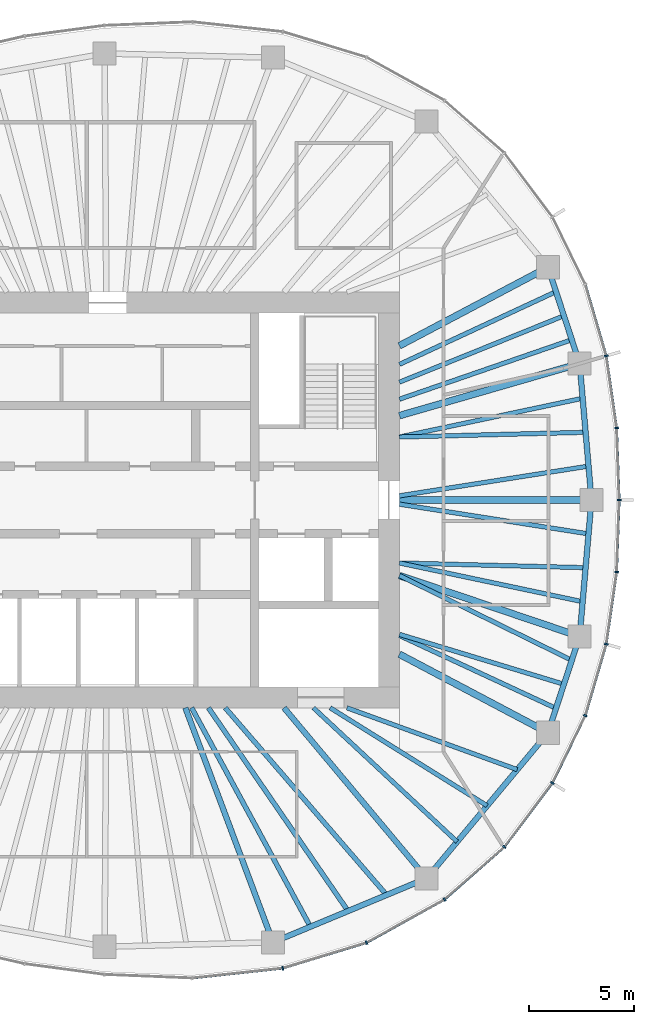
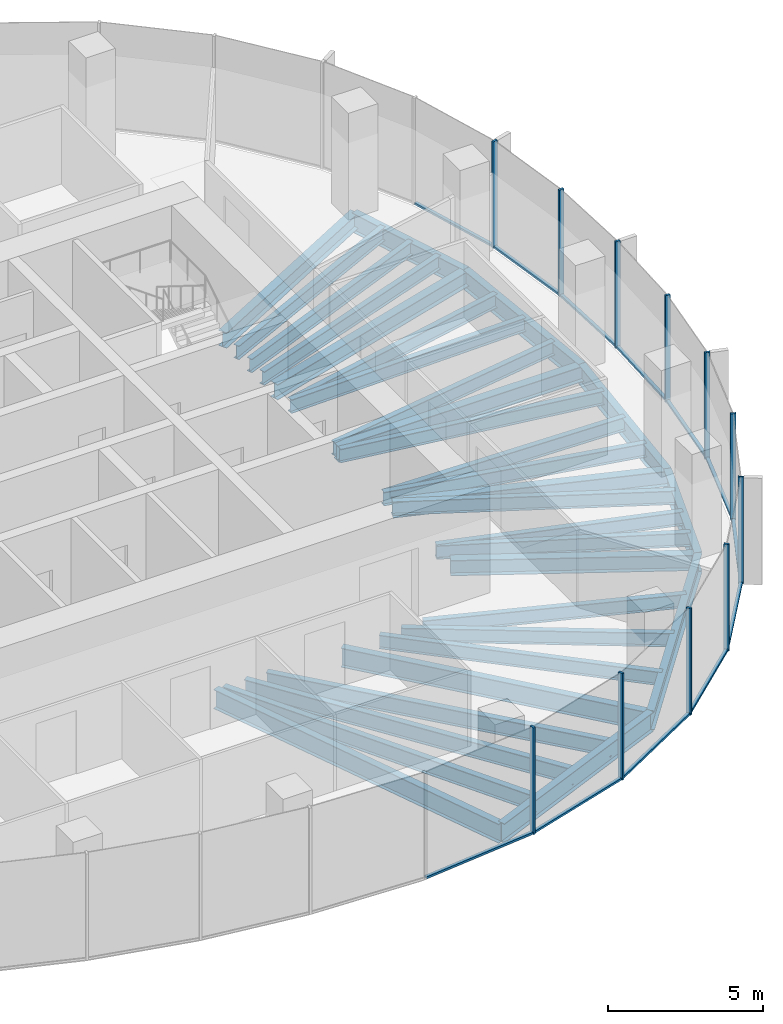
# One storey, part 4 of 11: 31 beams, 23 members, 7 elements without a shape of their own.
"""IFC4 building model written with IfcOpenShell, lengths in metres."""

from ifc_helpers import new_model, si_unit, direction, frame, origin, origin_2d, place, context, subcontext, project, spatial, rectangle, i_section, extrude, material, material_profile, profile_set, type_object, element, aggregate, save


model = new_model("IFC4")

# Units and contexts
model_context = context("Model", 3, precision=1e-05, world=origin(), true_north=direction((0.0, 1.0)))
body_context = subcontext(model_context, "Body", "Model", "MODEL_VIEW")
ifc_project = project(units=[si_unit("LENGTHUNIT", "METRE"), si_unit("AREAUNIT", "SQUARE_METRE"), si_unit("VOLUMEUNIT", "CUBIC_METRE"), si_unit("PLANEANGLEUNIT", "RADIAN"), si_unit("MASSUNIT", "GRAM", prefix="KILO")], contexts=[model_context])

# Site, building, storey
site_placement = place(None, origin())
site = spatial("IfcSite", under=ifc_project, at=site_placement, CompositionType="ELEMENT")
building_placement = place(site_placement, origin())
building = spatial("IfcBuilding", under=site, at=building_placement, Name="Ghaith Harvest Tower", CompositionType="ELEMENT")
storey_placement = place(building_placement, frame((0.0, 0.0, 288.0)))
storey = spatial("IfcBuildingStorey", under=building, at=storey_placement, Name="L64", CompositionType="ELEMENT", Elevation=288.0)

# Curtain wall, members
ifc_material_1 = material(Name="Black anodised aluminium and fritted glass", Category="aluminium")
curtain_wall_type = type_object("IfcCurtainWallType", Name="CW-T CURTAIN WALL", PredefinedType="NOTDEFINED", material=ifc_material_1)
curtain_wall_1_placement = place(storey_placement, origin())
curtain_wall_1 = element("IfcCurtainWall", 1, at=curtain_wall_1_placement, inside=storey, type_object=curtain_wall_type, Name="Curtain wall CW-T bay 01 L64", PredefinedType="NOTDEFINED")
ifc_material_2 = material(Name="Aluminium, black anodised", Category="aluminium")
ifc_material_profile_1 = material_profile(ifc_material_2, rectangle(XDim=0.080078125, YDim=0.179931640625, at=origin_2d()), Name="CW-T MULLION 80x180")
ifc_profile_set_1 = profile_set([ifc_material_profile_1], Name="Aluminium, black anodised")
member_type_1 = type_object("IfcMemberType", Name="CW-T MULLION 80x180", PredefinedType="MULLION", material=ifc_profile_set_1)
member_1_placement = place(storey_placement, frame((24.3701171875, 0.0, 0.0), z_axis=(0.0, 0.0, 1.0), x_axis=(5.2e-11, 1.0, 0.0)))
member_1 = element("IfcMember", 2, at=member_1_placement, type_object=member_type_1, Name="CW-T mullion 1 bay 01 L64", PredefinedType="MULLION", context=body_context, shape_type="SweptSolid", body=[
    extrude(rectangle(XDim=0.080078125, YDim=0.179931640625, at=origin_2d()), origin(), (0.0, 0.0, 1.0), 4.199951171875),
])
member_2_placement = place(storey_placement, frame((24.247802734375, 3.433837890625, 0.0), z_axis=(0.0, 0.0, 1.0), x_axis=(-0.089502202236, 0.995986624305, 0.0)))
member_2 = element("IfcMember", 3, at=member_2_placement, type_object=member_type_1, Name="CW-T mullion 2 bay 01 L64", PredefinedType="MULLION", context=body_context, shape_type="SweptSolid", body=[
    extrude(rectangle(XDim=0.080078125, YDim=0.179931640625, at=origin_2d()), origin(), (0.0, 0.0, 1.0), 4.199951171875),
])

# Curtain wall, member
curtain_wall_2_placement = place(storey_placement, origin())
curtain_wall_2 = element("IfcCurtainWall", 4, at=curtain_wall_2_placement, inside=storey, type_object=curtain_wall_type, Name="Curtain wall CW-T bay 02 L64", PredefinedType="NOTDEFINED")
member_3_placement = place(storey_placement, frame((23.753173828125, 6.865234375, 0.0), z_axis=(0.0, 0.0, 1.0), x_axis=(-0.21340203233, 0.976964468442, 0.0)))
member_3 = element("IfcMember", 5, at=member_3_placement, type_object=member_type_1, Name="CW-T mullion 1 bay 02 L64", PredefinedType="MULLION", context=body_context, shape_type="SweptSolid", body=[
    extrude(rectangle(XDim=0.080078125, YDim=0.179931640625, at=origin_2d()), origin(), (0.0, 0.0, 1.0), 4.199951171875),
])

# Curtain wall, members
curtain_wall_3_placement = place(storey_placement, origin())
curtain_wall_3 = element("IfcCurtainWall", 6, at=curtain_wall_3_placement, inside=storey, type_object=curtain_wall_type, Name="Curtain wall CW-T bay 17 L64", PredefinedType="NOTDEFINED")
member_4_placement = place(storey_placement, frame((8.33984375, -22.308837890625, 0.0), z_axis=(0.0, 0.0, 1.0), x_axis=(0.980000193265, 0.198996535647, 0.0)))
member_4 = element("IfcMember", 7, at=member_4_placement, type_object=member_type_1, Name="CW-T mullion 1 bay 17 L64", PredefinedType="MULLION", context=body_context, shape_type="SweptSolid", body=[
    extrude(rectangle(XDim=0.080078125, YDim=0.179931640625, at=origin_2d()), origin(), (0.0, 0.0, 1.0), 4.199951171875),
])
member_5_placement = place(storey_placement, frame((12.334228515625, -21.091796875, 0.0), z_axis=(0.0, 0.0, 1.0), x_axis=(0.920319269335, 0.391168048914, 0.0)))
member_5 = element("IfcMember", 8, at=member_5_placement, type_object=member_type_1, Name="CW-T mullion 2 bay 17 L64", PredefinedType="MULLION", context=body_context, shape_type="SweptSolid", body=[
    extrude(rectangle(XDim=0.080078125, YDim=0.179931640625, at=origin_2d()), origin(), (0.0, 0.0, 1.0), 4.199951171875),
])

curtain_wall_4_placement = place(storey_placement, origin())
curtain_wall_4 = element("IfcCurtainWall", 9, at=curtain_wall_4_placement, inside=storey, type_object=curtain_wall_type, Name="Curtain wall CW-T bay 18 L64", PredefinedType="NOTDEFINED")
member_6_placement = place(storey_placement, frame((16.04931640625, -19.031982421875, 0.0), z_axis=(0.0, 0.0, 1.0), x_axis=(0.821112053644, 0.570767023715, 0.0)))
member_6 = element("IfcMember", 10, at=member_6_placement, type_object=member_type_1, Name="CW-T mullion 1 bay 18 L64", PredefinedType="MULLION", context=body_context, shape_type="SweptSolid", body=[
    extrude(rectangle(XDim=0.080078125, YDim=0.179931640625, at=origin_2d()), origin(), (0.0, 0.0, 1.0), 4.199951171875),
])
member_7_placement = place(storey_placement, frame((18.901123046875, -16.527099609375, 0.0), z_axis=(0.0, 0.0, 1.0), x_axis=(0.679660897254, 0.733526458108, 0.0)))
member_7 = element("IfcMember", 11, at=member_7_placement, type_object=member_type_1, Name="CW-T mullion 2 bay 18 L64", PredefinedType="MULLION", context=body_context, shape_type="SweptSolid", body=[
    extrude(rectangle(XDim=0.080078125, YDim=0.179931640625, at=origin_2d()), origin(), (0.0, 0.0, 1.0), 4.199951171875),
])

curtain_wall_5_placement = place(storey_placement, origin())
curtain_wall_5 = element("IfcCurtainWall", 12, at=curtain_wall_5_placement, inside=storey, type_object=curtain_wall_type, Name="Curtain wall CW-T bay 19 L64", PredefinedType="NOTDEFINED")
member_8_placement = place(storey_placement, frame((21.18896484375, -13.48486328125, 0.0), z_axis=(0.0, 0.0, 1.0), x_axis=(0.524482238715, 0.85142138878, 0.0)))
member_8 = element("IfcMember", 13, at=member_8_placement, type_object=member_type_1, Name="CW-T mullion 1 bay 19 L64", PredefinedType="MULLION", context=body_context, shape_type="SweptSolid", body=[
    extrude(rectangle(XDim=0.080078125, YDim=0.179931640625, at=origin_2d()), origin(), (0.0, 0.0, 1.0), 4.199951171875),
])
member_9_placement = place(storey_placement, frame((22.754150390625, -10.272216796875, 0.0), z_axis=(0.0, 0.0, 1.0), x_axis=(0.361184273904, 0.932494461262, 0.0)))
member_9 = element("IfcMember", 14, at=member_9_placement, type_object=member_type_1, Name="CW-T mullion 2 bay 19 L64", PredefinedType="MULLION", context=body_context, shape_type="SweptSolid", body=[
    extrude(rectangle(XDim=0.080078125, YDim=0.179931640625, at=origin_2d()), origin(), (0.0, 0.0, 1.0), 4.199951171875),
])

curtain_wall_6_placement = place(storey_placement, origin())
curtain_wall_6 = element("IfcCurtainWall", 15, at=curtain_wall_6_placement, inside=storey, type_object=curtain_wall_type, Name="Curtain wall CW-T bay 20 L64", PredefinedType="NOTDEFINED")
member_10_placement = place(storey_placement, frame((23.753173828125, -6.865234375, 0.0), z_axis=(0.0, 0.0, 1.0), x_axis=(0.213402032501, 0.976964468404, 0.0)))
member_10 = element("IfcMember", 16, at=member_10_placement, type_object=member_type_1, Name="CW-T mullion 1 bay 20 L64", PredefinedType="MULLION", context=body_context, shape_type="SweptSolid", body=[
    extrude(rectangle(XDim=0.080078125, YDim=0.179931640625, at=origin_2d()), origin(), (0.0, 0.0, 1.0), 4.199951171875),
])
member_11_placement = place(storey_placement, frame((24.247802734375, -3.433837890625, 0.0), z_axis=(0.0, 0.0, 1.0), x_axis=(0.089502202305, 0.995986624299, 0.0)))
member_11 = element("IfcMember", 17, at=member_11_placement, type_object=member_type_1, Name="CW-T mullion 2 bay 20 L64", PredefinedType="MULLION", context=body_context, shape_type="SweptSolid", body=[
    extrude(rectangle(XDim=0.080078125, YDim=0.179931640625, at=origin_2d()), origin(), (0.0, 0.0, 1.0), 4.199951171875),
])

# Member
ifc_material_3 = material(Name="Aluminium, black anodised", Category="aluminium")
ifc_material_profile_2 = material_profile(ifc_material_3, rectangle(XDim=0.1201171875, YDim=0.080078125, at=origin_2d()), Name="CW-T TRANSOM 120x80")
ifc_profile_set_2 = profile_set([ifc_material_profile_2], Name="Aluminium, black anodised")
member_type_2 = type_object("IfcMemberType", Name="CW-T TRANSOM 120x80", PredefinedType="USERDEFINED", material=ifc_profile_set_2)
member_12_placement = place(storey_placement, frame((24.36865234375, 0.0400390625, 0.0400390625), z_axis=(-0.035574759537, 0.999367017909, 0.0), x_axis=(-0.999367017909, -0.035574759537, 0.0)))
member_12 = element("IfcMember", 18, at=member_12_placement, type_object=member_type_2, Name="CW-T transom 1 bay 01 L64", ObjectType="TRANSOM", PredefinedType="USERDEFINED", context=body_context, shape_type="SweptSolid", body=[
    extrude(rectangle(XDim=0.1201171875, YDim=0.080078125, at=origin_2d()), origin(), (0.0, 0.0, 1.0), 3.35595703125),
])

member_13_placement = place(storey_placement, frame((24.2421875, 3.473388671875, 0.0400390625), z_axis=(-0.142733224301, 0.989761196795, 0.0), x_axis=(-0.989761196795, -0.142733224301, 0.0)))
member_13 = element("IfcMember", 19, at=member_13_placement, type_object=member_type_2, Name="CW-T transom 2 bay 01 L64", ObjectType="TRANSOM", PredefinedType="USERDEFINED", context=body_context, shape_type="SweptSolid", body=[
    extrude(rectangle(XDim=0.1201171875, YDim=0.080078125, at=origin_2d()), origin(), (0.0, 0.0, 1.0), 3.38671875),
])

aggregate(curtain_wall_1, [member_1, member_12, member_2, member_13])

member_14_placement = place(storey_placement, frame((23.741943359375, 6.903564453125, 0.0400390625), z_axis=(-0.281385475469, 0.95959481772, 0.0), x_axis=(-0.95959481772, -0.281385475469, 0.0)))
member_14 = element("IfcMember", 20, at=member_14_placement, type_object=member_type_2, Name="CW-T transom 1 bay 02 L64", ObjectType="TRANSOM", PredefinedType="USERDEFINED", context=body_context, shape_type="SweptSolid", body=[
    extrude(rectangle(XDim=0.1201171875, YDim=0.080078125, at=origin_2d()), origin(), (0.0, 0.0, 1.0), 3.470458984375),
])

aggregate(curtain_wall_2, [member_3, member_14])

# Curtain wall, member
curtain_wall_7_placement = place(storey_placement, origin())
curtain_wall_7 = element("IfcCurtainWall", 21, at=curtain_wall_7_placement, inside=storey, type_object=curtain_wall_type, Name="Curtain wall CW-T bay 16 L64", PredefinedType="NOTDEFINED")
member_15_placement = place(storey_placement, frame((4.077392578125, -22.772216796875, 0.0400390625), z_axis=(0.994144463069, 0.108059180768, 0.0), x_axis=(-0.108059180768, 0.994144463069, 0.0)))
member_15 = element("IfcMember", 22, at=member_15_placement, type_object=member_type_2, Name="CW-T transom 2 bay 16 L64", ObjectType="TRANSOM", PredefinedType="USERDEFINED", context=body_context, shape_type="SweptSolid", body=[
    extrude(rectangle(XDim=0.1201171875, YDim=0.080078125, at=origin_2d()), origin(), (0.0, 0.0, 1.0), 4.24755859375),
])
aggregate(curtain_wall_7, [member_15])

# Member
member_16_placement = place(storey_placement, frame((8.378173828125, -22.297119140625, 0.0400390625), z_axis=(0.956593713342, 0.291424891858, 0.0), x_axis=(-0.291424891858, 0.956593713342, 0.0)))
member_16 = element("IfcMember", 23, at=member_16_placement, type_object=member_type_2, Name="CW-T transom 1 bay 17 L64", ObjectType="TRANSOM", PredefinedType="USERDEFINED", context=body_context, shape_type="SweptSolid", body=[
    extrude(rectangle(XDim=0.1201171875, YDim=0.080078125, at=origin_2d()), origin(), (0.0, 0.0, 1.0), 4.095703125),
])

member_17_placement = place(storey_placement, frame((12.369384765625, -21.072509765625, 0.0400390625), z_axis=(0.874552130553, 0.484931511603, 0.0), x_axis=(-0.484931511603, 0.874552130553, 0.0)))
member_17 = element("IfcMember", 24, at=member_17_placement, type_object=member_type_2, Name="CW-T transom 2 bay 17 L64", ObjectType="TRANSOM", PredefinedType="USERDEFINED", context=body_context, shape_type="SweptSolid", body=[
    extrude(rectangle(XDim=0.1201171875, YDim=0.080078125, at=origin_2d()), origin(), (0.0, 0.0, 1.0), 4.16748046875),
])

aggregate(curtain_wall_3, [member_4, member_16, member_5, member_17])

member_18_placement = place(storey_placement, frame((16.079345703125, -19.005615234375, 0.0400390625), z_axis=(0.751325799984, 0.659931467865, 0.0), x_axis=(-0.659931467865, 0.751325799984, 0.0)))
member_18 = element("IfcMember", 25, at=member_18_placement, type_object=member_type_2, Name="CW-T transom 1 bay 18 L64", ObjectType="TRANSOM", PredefinedType="USERDEFINED", context=body_context, shape_type="SweptSolid", body=[
    extrude(rectangle(XDim=0.1201171875, YDim=0.080078125, at=origin_2d()), origin(), (0.0, 0.0, 1.0), 3.7158203125),
])

member_19_placement = place(storey_placement, frame((18.925048828125, -16.4951171875, 0.0400390625), z_axis=(0.601079103045, 0.799189534392, 0.0), x_axis=(-0.799189534392, 0.601079103045, 0.0)))
member_19 = element("IfcMember", 26, at=member_19_placement, type_object=member_type_2, Name="CW-T transom 2 bay 18 L64", ObjectType="TRANSOM", PredefinedType="USERDEFINED", context=body_context, shape_type="SweptSolid", body=[
    extrude(rectangle(XDim=0.1201171875, YDim=0.080078125, at=origin_2d()), origin(), (0.0, 0.0, 1.0), 3.7265625),
])

aggregate(curtain_wall_4, [member_6, member_18, member_7, member_19])

member_20_placement = place(storey_placement, frame((21.20654296875, -13.448974609375, 0.0400390625), z_axis=(0.437965078712, 0.898991985408, 0.0), x_axis=(-0.898991985408, 0.437965078712, 0.0)))
member_20 = element("IfcMember", 27, at=member_20_placement, type_object=member_type_2, Name="CW-T transom 1 bay 19 L64", ObjectType="TRANSOM", PredefinedType="USERDEFINED", context=body_context, shape_type="SweptSolid", body=[
    extrude(rectangle(XDim=0.1201171875, YDim=0.080078125, at=origin_2d()), origin(), (0.0, 0.0, 1.0), 3.493408203125),
])

member_21_placement = place(storey_placement, frame((22.765380859375, -10.23388671875, 0.0400390625), z_axis=(0.281385475469, 0.95959481772, 0.0), x_axis=(-0.95959481772, 0.281385475469, 0.0)))
member_21 = element("IfcMember", 28, at=member_21_placement, type_object=member_type_2, Name="CW-T transom 2 bay 19 L64", ObjectType="TRANSOM", PredefinedType="USERDEFINED", context=body_context, shape_type="SweptSolid", body=[
    extrude(rectangle(XDim=0.1201171875, YDim=0.080078125, at=origin_2d()), origin(), (0.0, 0.0, 1.0), 3.470458984375),
])

aggregate(curtain_wall_5, [member_8, member_20, member_9, member_21])

member_22_placement = place(storey_placement, frame((23.7587890625, -6.825439453125, 0.0400390625), z_axis=(0.142733224301, 0.989761196795, 0.0), x_axis=(-0.989761196795, 0.142733224301, 0.0)))
member_22 = element("IfcMember", 29, at=member_22_placement, type_object=member_type_2, Name="CW-T transom 1 bay 20 L64", ObjectType="TRANSOM", PredefinedType="USERDEFINED", context=body_context, shape_type="SweptSolid", body=[
    extrude(rectangle(XDim=0.1201171875, YDim=0.080078125, at=origin_2d()), origin(), (0.0, 0.0, 1.0), 3.38671875),
])

member_23_placement = place(storey_placement, frame((24.249267578125, -3.393798828125, 0.0400390625), z_axis=(0.035574759537, 0.999367017909, 0.0), x_axis=(-0.999367017909, 0.035574759537, 0.0)))
member_23 = element("IfcMember", 30, at=member_23_placement, type_object=member_type_2, Name="CW-T transom 2 bay 20 L64", ObjectType="TRANSOM", PredefinedType="USERDEFINED", context=body_context, shape_type="SweptSolid", body=[
    extrude(rectangle(XDim=0.1201171875, YDim=0.080078125, at=origin_2d()), origin(), (0.0, 0.0, 1.0), 3.35595703125),
])

aggregate(curtain_wall_6, [member_10, member_22, member_11, member_23])

# Beams
ifc_material_4 = material(Name="Steel ASTM A992 Grade 50", Category="steel")
ifc_material_profile_3 = material_profile(ifc_material_4, i_section(OverallWidth=0.26611328125, OverallDepth=0.758056640625, WebThickness=0.013916015625, FlangeThickness=0.019287109375, at=origin_2d()), Name="W760X161")
ifc_profile_set_3 = profile_set([ifc_material_profile_3], Name="Steel ASTM A992 Grade 50")
beam_type_1 = type_object("IfcBeamType", Name="E760-161 W760X161", PredefinedType="SPANDREL", material=ifc_profile_set_3)
beam_1_placement = place(storey_placement, frame((23.050048828125, 0.0, -0.549072265625), z_axis=(-0.086600547306, 0.996243115513, 0.0), x_axis=(-0.996243115513, -0.086600547306, 0.0)))
element("IfcBeam", 31, at=beam_1_placement, inside=storey, type_object=beam_type_1, Name="Edge beam E01 L64", PredefinedType="SPANDREL", context=body_context, shape_type="SweptSolid", body=[
    extrude(i_section(OverallWidth=0.26611328125, OverallDepth=0.758056640625, WebThickness=0.013916015625, FlangeThickness=0.019287109375, at=origin_2d()), origin(), (0.0, 0.0, 1.0), 6.5234375),
])
beam_2_placement = place(storey_placement, frame((22.485107421875, 6.4990234375, -0.549072265625), z_axis=(-0.312206727278, 0.950014189074, 0.0), x_axis=(-0.950014189074, -0.312206727278, 0.0)))
element("IfcBeam", 32, at=beam_2_placement, inside=storey, type_object=beam_type_1, Name="Edge beam E02 L64", PredefinedType="SPANDREL", context=body_context, shape_type="SweptSolid", body=[
    extrude(i_section(OverallWidth=0.26611328125, OverallDepth=0.758056640625, WebThickness=0.013916015625, FlangeThickness=0.019287109375, at=origin_2d()), origin(), (0.0, 0.0, 1.0), 4.830322265625),
])
beam_3_placement = place(storey_placement, frame((7.8779296875, -21.072021484375, -0.549072265625), z_axis=(0.923119729219, 0.384512633766, 0.0), x_axis=(-0.384512633766, 0.923119729219, 0.0)))
element("IfcBeam", 33, at=beam_3_placement, inside=storey, type_object=beam_type_1, Name="Edge beam E17 L64", PredefinedType="SPANDREL", context=body_context, shape_type="SweptSolid", body=[
    extrude(i_section(OverallWidth=0.26611328125, OverallDepth=0.758056640625, WebThickness=0.013916015625, FlangeThickness=0.019287109375, at=origin_2d()), origin(), (0.0, 0.0, 1.0), 7.9296875),
])
beam_4_placement = place(storey_placement, frame((15.197998046875, -18.02294921875, -0.549072265625), z_axis=(0.640173759088, 0.76823014662, 0.0), x_axis=(-0.76823014662, 0.640173759088, 0.0)))
element("IfcBeam", 34, at=beam_4_placement, inside=storey, type_object=beam_type_1, Name="Edge beam E18 L64", PredefinedType="SPANDREL", context=body_context, shape_type="SweptSolid", body=[
    extrude(i_section(OverallWidth=0.26611328125, OverallDepth=0.758056640625, WebThickness=0.013916015625, FlangeThickness=0.019287109375, at=origin_2d()), origin(), (0.0, 0.0, 1.0), 9.02734375),
])
beam_5_placement = place(storey_placement, frame((20.97705078125, -11.087890625, -0.549072265625), z_axis=(0.312206727278, 0.950014189074, 0.0), x_axis=(-0.950014189074, 0.312206727278, 0.0)))
element("IfcBeam", 35, at=beam_5_placement, inside=storey, type_object=beam_type_1, Name="Edge beam E19 L64", PredefinedType="SPANDREL", context=body_context, shape_type="SweptSolid", body=[
    extrude(i_section(OverallWidth=0.26611328125, OverallDepth=0.758056640625, WebThickness=0.013916015625, FlangeThickness=0.019287109375, at=origin_2d()), origin(), (0.0, 0.0, 1.0), 4.830322265625),
])
beam_6_placement = place(storey_placement, frame((22.485107421875, -6.4990234375, -0.549072265625), z_axis=(0.086600547306, 0.996243115513, 0.0), x_axis=(-0.996243115513, 0.086600547306, 0.0)))
element("IfcBeam", 36, at=beam_6_placement, inside=storey, type_object=beam_type_1, Name="Edge beam E20 L64", PredefinedType="SPANDREL", context=body_context, shape_type="SweptSolid", body=[
    extrude(i_section(OverallWidth=0.26611328125, OverallDepth=0.758056640625, WebThickness=0.013916015625, FlangeThickness=0.019287109375, at=origin_2d()), origin(), (0.0, 0.0, 1.0), 6.5234375),
])
ifc_material_5 = material(Name="Steel ASTM A992 Grade 50", Category="steel")
ifc_material_profile_4 = material_profile(ifc_material_5, i_section(OverallWidth=0.323974609375, OverallDepth=0.611083984375, WebThickness=0.0126953125, FlangeThickness=0.01904296875, at=origin_2d()), Name="W610X155")
ifc_profile_set_4 = profile_set([ifc_material_profile_4], Name="Steel ASTM A992 Grade 50")
beam_type_2 = type_object("IfcBeamType", Name="G610-155 W610X155", PredefinedType="BEAM", material=ifc_profile_set_4)
beam_7_placement = place(storey_placement, frame((13.89990234375, 0.0, -0.4755859375), z_axis=(1.0, 0.0, 0.0), x_axis=(0.0, 1.0, 0.0)))
element("IfcBeam", 37, at=beam_7_placement, inside=storey, type_object=beam_type_2, Name="Radial girder G01 L64", PredefinedType="BEAM", context=body_context, shape_type="SweptSolid", body=[
    extrude(i_section(OverallWidth=0.323974609375, OverallDepth=0.611083984375, WebThickness=0.0126953125, FlangeThickness=0.01904296875, at=origin_2d()), origin(), (0.0, 0.0, 1.0), 9.150146484375),
])
beam_8_placement = place(storey_placement, frame((13.89990234375, 4.017333984375, -0.4755859375), z_axis=(0.960668846071, 0.27769653975, 0.0), x_axis=(-0.27769653975, 0.960668846071, 0.0)))
element("IfcBeam", 38, at=beam_8_placement, inside=storey, type_object=beam_type_2, Name="Radial girder G02 L64", PredefinedType="BEAM", context=body_context, shape_type="SweptSolid", body=[
    extrude(i_section(OverallWidth=0.323974609375, OverallDepth=0.611083984375, WebThickness=0.0126953125, FlangeThickness=0.01904296875, at=origin_2d()), origin(), (0.0, 0.0, 1.0), 8.936767578125),
])
for number, where, z_axis, x_axis, name in (
    (39, (13.89990234375, 7.34716796875, -0.4755859375), (0.884097820364, 0.467301876764, 0.0), (-0.467301876764, 0.884097820364, 0.0), "Radial girder G03 L64"),
    (40, (13.89990234375, -7.34716796875, -0.4755859375), (0.884097820364, -0.467301876764, 0.0), (0.467301876764, 0.884097820364, 0.0), "Radial girder G19 L64"),
):
    element("IfcBeam", number, at=place(storey_placement, frame(where, z_axis=z_axis, x_axis=x_axis)), inside=storey, type_object=beam_type_2, Name=name, PredefinedType="BEAM", context=body_context, shape_type="SweptSolid", body=[
        extrude(i_section(OverallWidth=0.323974609375, OverallDepth=0.611083984375, WebThickness=0.0126953125, FlangeThickness=0.01904296875, at=origin_2d()), origin(), (0.0, 0.0, 1.0), 8.0048828125),
    ])
beam_9_placement = place(storey_placement, frame((13.89990234375, -3.60009765625, -0.4755859375), z_axis=(0.947444819082, -0.319919231673, 0.0), x_axis=(0.319919231673, 0.947444819082, 0.0)))
element("IfcBeam", 41, at=beam_9_placement, inside=storey, type_object=beam_type_2, Name="Radial girder G20 L64", PredefinedType="BEAM", context=body_context, shape_type="SweptSolid", body=[
    extrude(i_section(OverallWidth=0.323974609375, OverallDepth=0.611083984375, WebThickness=0.0126953125, FlangeThickness=0.01904296875, at=origin_2d()), origin(), (0.0, 0.0, 1.0), 9.0615234375),
])
ifc_material_6 = material(Name="Steel ASTM A992 Grade 50", Category="steel")
ifc_material_profile_5 = material_profile(ifc_material_6, i_section(OverallWidth=0.26611328125, OverallDepth=0.758056640625, WebThickness=0.013916015625, FlangeThickness=0.019287109375, at=origin_2d()), Name="W760X161")
ifc_profile_set_5 = profile_set([ifc_material_profile_5], Name="Steel ASTM A992 Grade 50")
beam_type_3 = type_object("IfcBeamType", Name="G760-161 W760X161", PredefinedType="BEAM", material=ifc_profile_set_5)
beam_10_placement = place(storey_placement, frame((3.700927734375, -9.89990234375, -0.549072265625), z_axis=(0.350201332531, -0.936674450753, 0.0), x_axis=(0.936674450753, 0.350201332531, 0.0)))
element("IfcBeam", 42, at=beam_10_placement, inside=storey, type_object=beam_type_3, Name="Radial girder G17 L64", PredefinedType="BEAM", context=body_context, shape_type="SweptSolid", body=[
    extrude(i_section(OverallWidth=0.26611328125, OverallDepth=0.758056640625, WebThickness=0.013916015625, FlangeThickness=0.019287109375, at=origin_2d()), origin(), (0.0, 0.0, 1.0), 11.927490234375),
])
beam_11_placement = place(storey_placement, frame((8.39990234375, -9.89990234375, -0.549072265625), z_axis=(0.641792628883, -0.766878231215, 0.0), x_axis=(0.766878231215, 0.641792628883, 0.0)))
element("IfcBeam", 43, at=beam_11_placement, inside=storey, type_object=beam_type_3, Name="Radial girder G18 L64", PredefinedType="BEAM", context=body_context, shape_type="SweptSolid", body=[
    extrude(i_section(OverallWidth=0.26611328125, OverallDepth=0.758056640625, WebThickness=0.013916015625, FlangeThickness=0.019287109375, at=origin_2d()), origin(), (0.0, 0.0, 1.0), 10.59228515625),
])
ifc_material_7 = material(Name="Steel ASTM A992 Grade 50", Category="steel")
ifc_material_profile_6 = material_profile(ifc_material_7, i_section(OverallWidth=0.2109375, OverallDepth=0.5390625, WebThickness=0.01171875, FlangeThickness=0.018798828125, at=origin_2d()), Name="W530X109")
ifc_profile_set_6 = profile_set([ifc_material_profile_6], Name="Steel ASTM A992 Grade 50")
beam_type_4 = type_object("IfcBeamType", Name="J530-109 W530X109", PredefinedType="JOIST", material=ifc_profile_set_6)
beam_12_placement = place(storey_placement, frame((13.89990234375, 0.199951171875, -0.439453125), z_axis=(0.987906665526, 0.155049734628, 0.0), x_axis=(-0.155049734628, 0.987906665526, 0.0)))
element("IfcBeam", 44, at=beam_12_placement, inside=storey, type_object=beam_type_4, Name="Joist J01.1 L64", PredefinedType="JOIST", context=body_context, shape_type="SweptSolid", body=[
    extrude(i_section(OverallWidth=0.2109375, OverallDepth=0.5390625, WebThickness=0.01171875, FlangeThickness=0.018798828125, at=origin_2d()), origin(), (0.0, 0.0, 1.0), 9.1201171875),
])
beam_13_placement = place(storey_placement, frame((13.89990234375, 3.0, -0.439453125), z_axis=(0.999679533859, 0.025314612071, 0.0), x_axis=(-0.025314612071, 0.999679533859, 0.0)))
element("IfcBeam", 45, at=beam_13_placement, inside=storey, type_object=beam_type_4, Name="Joist J01.2 L64", PredefinedType="JOIST", context=body_context, shape_type="SweptSolid", body=[
    extrude(i_section(OverallWidth=0.2109375, OverallDepth=0.5390625, WebThickness=0.01171875, FlangeThickness=0.018798828125, at=origin_2d()), origin(), (0.0, 0.0, 1.0), 8.872802734375),
])
beam_14_placement = place(storey_placement, frame((13.89990234375, 3.0, -0.439453125), z_axis=(0.97833382446, 0.207033639579, 0.0), x_axis=(-0.207033639579, 0.97833382446, 0.0)))
element("IfcBeam", 46, at=beam_14_placement, inside=storey, type_object=beam_type_4, Name="Joist J01.3 L64", PredefinedType="JOIST", context=body_context, shape_type="SweptSolid", body=[
    extrude(i_section(OverallWidth=0.2109375, OverallDepth=0.5390625, WebThickness=0.01171875, FlangeThickness=0.018798828125, at=origin_2d()), origin(), (0.0, 0.0, 1.0), 8.922119140625),
])
beam_15_placement = place(storey_placement, frame((13.89990234375, 4.801025390625, -0.439453125), z_axis=(0.945204712775, 0.326478254937, 0.0), x_axis=(-0.326478254937, 0.945204712775, 0.0)))
element("IfcBeam", 47, at=beam_15_placement, inside=storey, type_object=beam_type_4, Name="Joist J02.1 L64", PredefinedType="JOIST", context=body_context, shape_type="SweptSolid", body=[
    extrude(i_section(OverallWidth=0.2109375, OverallDepth=0.5390625, WebThickness=0.01171875, FlangeThickness=0.018798828125, at=origin_2d()), origin(), (0.0, 0.0, 1.0), 8.687255859375),
])
beam_16_placement = place(storey_placement, frame((13.89990234375, 5.61328125, -0.439453125), z_axis=(0.927254375113, 0.374432001615, 0.0), x_axis=(-0.374432001615, 0.927254375113, 0.0)))
element("IfcBeam", 48, at=beam_16_placement, inside=storey, type_object=beam_type_4, Name="Joist J02.2 L64", PredefinedType="JOIST", context=body_context, shape_type="SweptSolid", body=[
    extrude(i_section(OverallWidth=0.2109375, OverallDepth=0.5390625, WebThickness=0.01171875, FlangeThickness=0.018798828125, at=origin_2d()), origin(), (0.0, 0.0, 1.0), 8.450927734375),
])
beam_17_placement = place(storey_placement, frame((13.89990234375, 6.45947265625, -0.439453125), z_axis=(0.906859906661, 0.42143221245, 0.0), x_axis=(-0.42143221245, 0.906859906661, 0.0)))
element("IfcBeam", 49, at=beam_17_placement, inside=storey, type_object=beam_type_4, Name="Joist J02.3 L64", PredefinedType="JOIST", context=body_context, shape_type="SweptSolid", body=[
    extrude(i_section(OverallWidth=0.2109375, OverallDepth=0.5390625, WebThickness=0.01171875, FlangeThickness=0.018798828125, at=origin_2d()), origin(), (0.0, 0.0, 1.0), 8.22509765625),
])
beam_18_placement = place(storey_placement, frame((9.800048828125, -9.89990234375, -0.439453125), z_axis=(0.73164904944, -0.681681500742, 0.0), x_axis=(0.681681500742, 0.73164904944, 0.0)))
element("IfcBeam", 50, at=beam_18_placement, inside=storey, type_object=beam_type_4, Name="Joist J18.1 L64", PredefinedType="JOIST", context=body_context, shape_type="SweptSolid", body=[
    extrude(i_section(OverallWidth=0.2109375, OverallDepth=0.5390625, WebThickness=0.01171875, FlangeThickness=0.018798828125, at=origin_2d()), origin(), (0.0, 0.0, 1.0), 9.361572265625),
])
beam_19_placement = place(storey_placement, frame((10.60009765625, -9.89990234375, -0.439453125), z_axis=(0.84837619421, -0.52939383553, 0.0), x_axis=(0.52939383553, 0.84837619421, 0.0)))
element("IfcBeam", 51, at=beam_19_placement, inside=storey, type_object=beam_type_4, Name="Joist J18.2 L64", PredefinedType="JOIST", context=body_context, shape_type="SweptSolid", body=[
    extrude(i_section(OverallWidth=0.2109375, OverallDepth=0.5390625, WebThickness=0.01171875, FlangeThickness=0.018798828125, at=origin_2d()), origin(), (0.0, 0.0, 1.0), 8.814697265625),
])
beam_20_placement = place(storey_placement, frame((11.39990234375, -9.89990234375, -0.439453125), z_axis=(0.939925501564, -0.341379629605, 0.0), x_axis=(0.341379629605, 0.939925501564, 0.0)))
element("IfcBeam", 52, at=beam_20_placement, inside=storey, type_object=beam_type_4, Name="Joist J18.3 L64", PredefinedType="JOIST", context=body_context, shape_type="SweptSolid", body=[
    extrude(i_section(OverallWidth=0.2109375, OverallDepth=0.5390625, WebThickness=0.01171875, FlangeThickness=0.018798828125, at=origin_2d()), origin(), (0.0, 0.0, 1.0), 8.630615234375),
])
beam_21_placement = place(storey_placement, frame((13.89990234375, -6.45947265625, -0.439453125), z_axis=(0.906859906661, -0.42143221245, 0.0), x_axis=(0.42143221245, 0.906859906661, 0.0)))
element("IfcBeam", 53, at=beam_21_placement, inside=storey, type_object=beam_type_4, Name="Joist J19.1 L64", PredefinedType="JOIST", context=body_context, shape_type="SweptSolid", body=[
    extrude(i_section(OverallWidth=0.2109375, OverallDepth=0.5390625, WebThickness=0.01171875, FlangeThickness=0.018798828125, at=origin_2d()), origin(), (0.0, 0.0, 1.0), 8.22509765625),
])
beam_22_placement = place(storey_placement, frame((13.89990234375, -6.39990234375, -0.439453125), z_axis=(0.9569197823, -0.290352424208, 0.0), x_axis=(0.290352424208, 0.9569197823, 0.0)))
element("IfcBeam", 54, at=beam_22_placement, inside=storey, type_object=beam_type_4, Name="Joist J19.2 L64", PredefinedType="JOIST", context=body_context, shape_type="SweptSolid", body=[
    extrude(i_section(OverallWidth=0.2109375, OverallDepth=0.5390625, WebThickness=0.01171875, FlangeThickness=0.018798828125, at=origin_2d()), origin(), (0.0, 0.0, 1.0), 8.18896484375),
])
beam_23_placement = place(storey_placement, frame((13.89990234375, -3.60009765625, -0.439453125), z_axis=(0.89740088778, -0.441216099674, 0.0), x_axis=(0.441216099674, 0.89740088778, 0.0)))
element("IfcBeam", 55, at=beam_23_placement, inside=storey, type_object=beam_type_4, Name="Joist J19.3 L64", PredefinedType="JOIST", context=body_context, shape_type="SweptSolid", body=[
    extrude(i_section(OverallWidth=0.2109375, OverallDepth=0.5390625, WebThickness=0.01171875, FlangeThickness=0.018798828125, at=origin_2d()), origin(), (0.0, 0.0, 1.0), 9.14990234375),
])
beam_24_placement = place(storey_placement, frame((13.89990234375, -3.0, -0.439453125), z_axis=(0.97833382446, -0.207033639579, 0.0), x_axis=(0.207033639579, 0.97833382446, 0.0)))
element("IfcBeam", 56, at=beam_24_placement, inside=storey, type_object=beam_type_4, Name="Joist J20.1 L64", PredefinedType="JOIST", context=body_context, shape_type="SweptSolid", body=[
    extrude(i_section(OverallWidth=0.2109375, OverallDepth=0.5390625, WebThickness=0.01171875, FlangeThickness=0.018798828125, at=origin_2d()), origin(), (0.0, 0.0, 1.0), 8.922119140625),
])
beam_25_placement = place(storey_placement, frame((13.89990234375, -3.0, -0.439453125), z_axis=(0.999679533859, -0.025314612071, 0.0), x_axis=(0.025314612071, 0.999679533859, 0.0)))
element("IfcBeam", 57, at=beam_25_placement, inside=storey, type_object=beam_type_4, Name="Joist J20.2 L64", PredefinedType="JOIST", context=body_context, shape_type="SweptSolid", body=[
    extrude(i_section(OverallWidth=0.2109375, OverallDepth=0.5390625, WebThickness=0.01171875, FlangeThickness=0.018798828125, at=origin_2d()), origin(), (0.0, 0.0, 1.0), 8.872802734375),
])
beam_26_placement = place(storey_placement, frame((13.89990234375, -0.199951171875, -0.439453125), z_axis=(0.987906665526, -0.155049734628, 0.0), x_axis=(0.155049734628, 0.987906665526, 0.0)))
element("IfcBeam", 58, at=beam_26_placement, inside=storey, type_object=beam_type_4, Name="Joist J20.3 L64", PredefinedType="JOIST", context=body_context, shape_type="SweptSolid", body=[
    extrude(i_section(OverallWidth=0.2109375, OverallDepth=0.5390625, WebThickness=0.01171875, FlangeThickness=0.018798828125, at=origin_2d()), origin(), (0.0, 0.0, 1.0), 9.1201171875),
])
ifc_material_8 = material(Name="Steel ASTM A992 Grade 50", Category="steel")
ifc_material_profile_7 = material_profile(ifc_material_8, i_section(OverallWidth=0.22998046875, OverallDepth=0.616943359375, WebThickness=0.01318359375, FlangeThickness=0.022216796875, at=origin_2d()), Name="W610X140")
ifc_profile_set_7 = profile_set([ifc_material_profile_7], Name="Steel ASTM A992 Grade 50")
beam_type_5 = type_object("IfcBeamType", Name="J610-140 W610X140", PredefinedType="JOIST", material=ifc_profile_set_7)
beam_27_placement = place(storey_placement, frame((4.0, -9.89990234375, -0.478515625), z_axis=(0.476764926531, -0.879030832696, 0.0), x_axis=(0.879030832696, 0.476764926531, 0.0)))
element("IfcBeam", 59, at=beam_27_placement, inside=storey, type_object=beam_type_5, Name="Joist J17.1 L64", PredefinedType="JOIST", context=body_context, shape_type="SweptSolid", body=[
    extrude(i_section(OverallWidth=0.22998046875, OverallDepth=0.616943359375, WebThickness=0.01318359375, FlangeThickness=0.022216796875, at=origin_2d()), origin(), (0.0, 0.0, 1.0), 11.866455078125),
])
beam_28_placement = place(storey_placement, frame((4.800048828125, -9.89990234375, -0.478515625), z_axis=(0.566228035119, -0.824248634967, 0.0), x_axis=(0.824248634967, 0.566228035119, 0.0)))
element("IfcBeam", 60, at=beam_28_placement, inside=storey, type_object=beam_type_5, Name="Joist J17.2 L64", PredefinedType="JOIST", context=body_context, shape_type="SweptSolid", body=[
    extrude(i_section(OverallWidth=0.22998046875, OverallDepth=0.616943359375, WebThickness=0.01318359375, FlangeThickness=0.022216796875, at=origin_2d()), origin(), (0.0, 0.0, 1.0), 11.748046875),
])
beam_29_placement = place(storey_placement, frame((5.60009765625, -9.89990234375, -0.478515625), z_axis=(0.652992938501, -0.757363995888, 0.0), x_axis=(0.757363995888, 0.652992938501, 0.0)))
element("IfcBeam", 61, at=beam_29_placement, inside=storey, type_object=beam_type_5, Name="Joist J17.3 L64", PredefinedType="JOIST", context=body_context, shape_type="SweptSolid", body=[
    extrude(i_section(OverallWidth=0.22998046875, OverallDepth=0.616943359375, WebThickness=0.01318359375, FlangeThickness=0.022216796875, at=origin_2d()), origin(), (0.0, 0.0, 1.0), 11.775390625),
])

save(model, "model.ifc")
